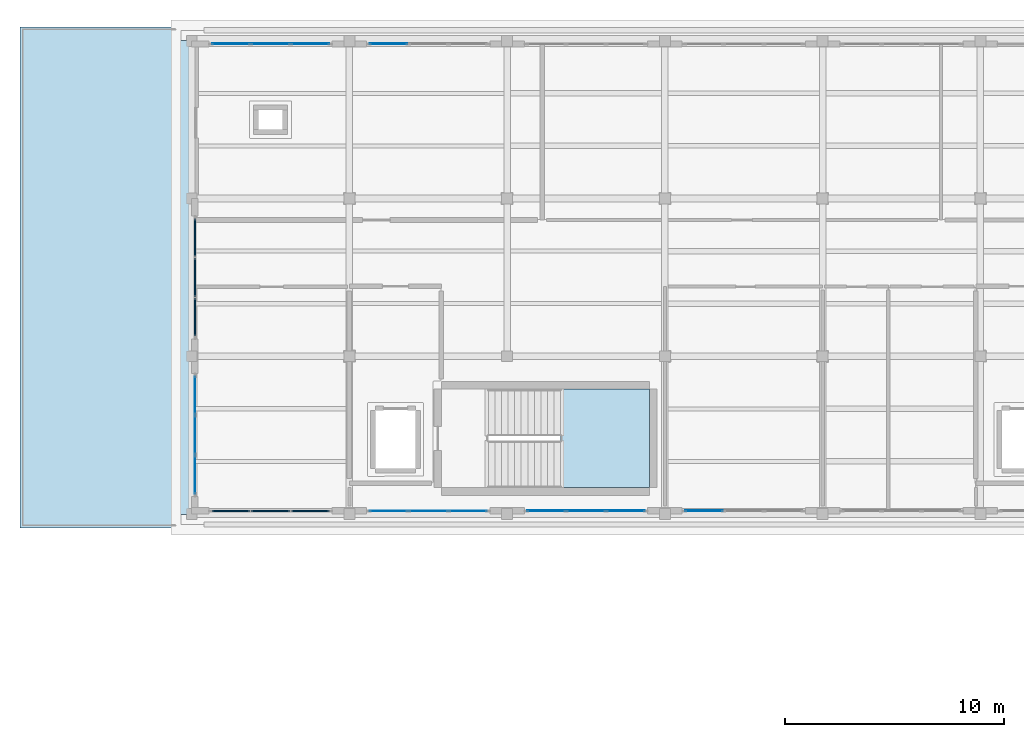
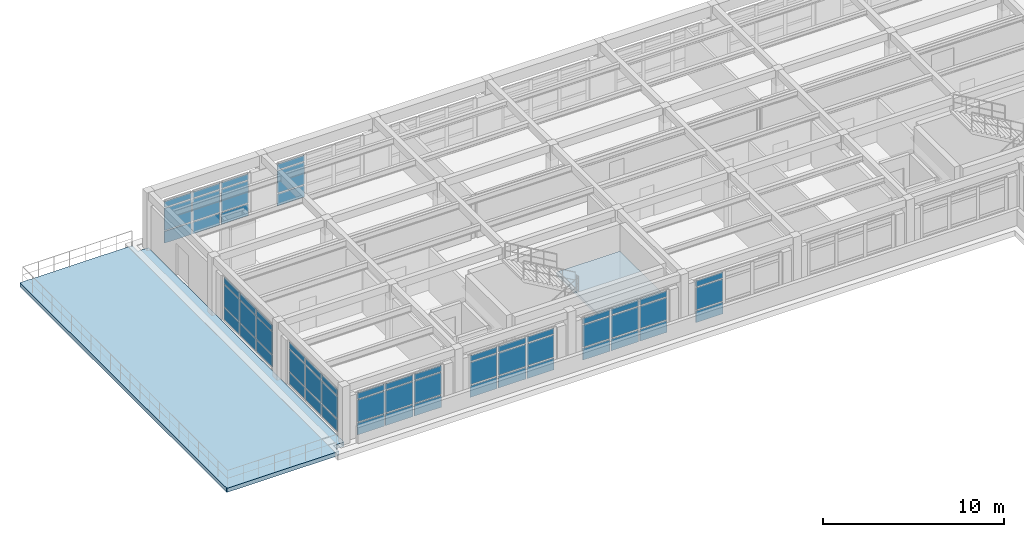
# One storey, part 10 of 18: 60 plates, 2 slabs, 9 elements without a shape of their own.
"""IFC4 building model written with IfcOpenShell, lengths in metres."""

from ifc_helpers import new_model, si_unit, direction, frame, origin, origin_2d, place, context, subcontext, project, spatial, polyline, rectangle, outline, extrude, material, layer, layer_set, type_object, element, aggregate, save


model = new_model("IFC4")

# Units and contexts
model_context = context("Model", 3, precision=1e-05, world=origin(), true_north=direction((0.0, 1.0)))
body_context = subcontext(model_context, "Body", "Model", "MODEL_VIEW")
ifc_project = project(units=[si_unit("LENGTHUNIT", "METRE"), si_unit("AREAUNIT", "SQUARE_METRE"), si_unit("VOLUMEUNIT", "CUBIC_METRE"), si_unit("PLANEANGLEUNIT", "RADIAN"), si_unit("MASSUNIT", "GRAM", prefix="KILO")], contexts=[model_context])

# Site, building, storey
site_placement = place(None, origin())
site = spatial("IfcSite", under=ifc_project, at=site_placement, CompositionType="ELEMENT")
building_placement = place(site_placement, origin())
building = spatial("IfcBuilding", under=site, at=building_placement, Name="Solenvale Faculty of Natural Sciences", CompositionType="ELEMENT")
storey_placement = place(building_placement, frame((0.0, 0.0, 39.60009765625)))
storey = spatial("IfcBuildingStorey", under=building, at=storey_placement, Name="L09", CompositionType="ELEMENT", Elevation=39.60009765625)

# Curtain wall, plates
ifc_material_1 = material(Name="Anodised bronze aluminium", Category="aluminium")
ifc_layer_1 = layer(ifc_material_1, 0.179931640625)
ifc_layer_set_1 = layer_set([ifc_layer_1], Name="Anodised bronze aluminium")
curtain_wall_type = type_object("IfcCurtainWallType", Name="CW-TWR-MOD", PredefinedType="USERDEFINED", material=ifc_layer_set_1)
curtain_wall_1_placement = place(storey_placement, origin())
curtain_wall_1 = element("IfcCurtainWall", 1, at=curtain_wall_1_placement, inside=storey, type_object=curtain_wall_type, Name="L09 Curtain Wall CW-L09-P1-E3-B3", ObjectType="UNITISED CURTAIN WALL", PredefinedType="USERDEFINED")
ifc_material_2 = material(Name="North-light skylight glass", Category="glass")
ifc_layer_2 = layer(ifc_material_2, 0.028076171875)
ifc_layer_set_2 = layer_set([ifc_layer_2], Name="North-light skylight glass")
plate_type_1 = type_object("IfcPlateType", Name="CWP-PNL-28", PredefinedType="CURTAIN_PANEL", material=ifc_layer_set_2)
plate_1_placement = place(storey_placement, frame((93.742431640625, 99.0146484375, 0.074951171875), z_axis=(0.0, 0.0, 1.0), x_axis=(0.0, -1.0, 0.0)))
plate_1 = element("IfcPlate", 2, at=plate_1_placement, type_object=plate_type_1, Name="CW-04 panel 1.1", PredefinedType="CURTAIN_PANEL", context=body_context, shape_type="SweptSolid", body=[
    extrude(rectangle(XDim=1.720947265625, YDim=0.028076171875, at=origin_2d()), origin(), (0.0, 0.0, 1.0), 0.78759765625),
])
plate_2_placement = place(storey_placement, frame((93.742431640625, 99.0146484375, 0.9375), z_axis=(0.0, 0.0, 1.0), x_axis=(0.0, -1.0, 0.0)))
plate_2 = element("IfcPlate", 3, at=plate_2_placement, type_object=plate_type_1, Name="CW-04 panel 1.2", PredefinedType="CURTAIN_PANEL", context=body_context, shape_type="SweptSolid", body=[
    extrude(rectangle(XDim=1.720947265625, YDim=0.028076171875, at=origin_2d()), origin(), (0.0, 0.0, 1.0), 1.485107421875),
])
plate_3_placement = place(storey_placement, frame((93.742431640625, 99.0146484375, 2.49755859375), z_axis=(0.0, 0.0, 1.0), x_axis=(0.0, -1.0, 0.0)))
plate_3 = element("IfcPlate", 4, at=plate_3_placement, type_object=plate_type_1, Name="CW-04 panel 1.3", PredefinedType="CURTAIN_PANEL", context=body_context, shape_type="SweptSolid", body=[
    extrude(rectangle(XDim=1.720947265625, YDim=0.028076171875, at=origin_2d()), origin(), (0.0, 0.0, 1.0), 0.387451171875),
])
plate_4_placement = place(storey_placement, frame((93.742431640625, 97.199951171875, 0.074951171875), z_axis=(0.0, 0.0, 1.0), x_axis=(0.0, -1.0, 0.0)))
plate_4 = element("IfcPlate", 5, at=plate_4_placement, type_object=plate_type_1, Name="CW-04 panel 2.1", PredefinedType="CURTAIN_PANEL", context=body_context, shape_type="SweptSolid", body=[
    extrude(rectangle(XDim=1.75830078125, YDim=0.028076171875, at=origin_2d()), origin(), (0.0, 0.0, 1.0), 0.78759765625),
])
plate_5_placement = place(storey_placement, frame((93.742431640625, 97.199951171875, 0.9375), z_axis=(0.0, 0.0, 1.0), x_axis=(0.0, -1.0, 0.0)))
plate_5 = element("IfcPlate", 6, at=plate_5_placement, type_object=plate_type_1, Name="CW-04 panel 2.2", PredefinedType="CURTAIN_PANEL", context=body_context, shape_type="SweptSolid", body=[
    extrude(rectangle(XDim=1.75830078125, YDim=0.028076171875, at=origin_2d()), origin(), (0.0, 0.0, 1.0), 1.485107421875),
])
plate_6_placement = place(storey_placement, frame((93.742431640625, 97.199951171875, 2.49755859375), z_axis=(0.0, 0.0, 1.0), x_axis=(0.0, -1.0, 0.0)))
plate_6 = element("IfcPlate", 7, at=plate_6_placement, type_object=plate_type_1, Name="CW-04 panel 2.3", PredefinedType="CURTAIN_PANEL", context=body_context, shape_type="SweptSolid", body=[
    extrude(rectangle(XDim=1.75830078125, YDim=0.028076171875, at=origin_2d()), origin(), (0.0, 0.0, 1.0), 0.387451171875),
])
plate_7_placement = place(storey_placement, frame((93.742431640625, 95.385498046875, 0.074951171875), z_axis=(0.0, 0.0, 1.0), x_axis=(0.0, -1.0, 0.0)))
plate_7 = element("IfcPlate", 8, at=plate_7_placement, type_object=plate_type_1, Name="CW-04 panel 3.1", PredefinedType="CURTAIN_PANEL", context=body_context, shape_type="SweptSolid", body=[
    extrude(rectangle(XDim=1.720947265625, YDim=0.028076171875, at=origin_2d()), origin(), (0.0, 0.0, 1.0), 0.78759765625),
])
plate_8_placement = place(storey_placement, frame((93.742431640625, 95.385498046875, 0.9375), z_axis=(0.0, 0.0, 1.0), x_axis=(0.0, -1.0, 0.0)))
plate_8 = element("IfcPlate", 9, at=plate_8_placement, type_object=plate_type_1, Name="CW-04 panel 3.2", PredefinedType="CURTAIN_PANEL", context=body_context, shape_type="SweptSolid", body=[
    extrude(rectangle(XDim=1.720947265625, YDim=0.028076171875, at=origin_2d()), origin(), (0.0, 0.0, 1.0), 1.485107421875),
])
plate_9_placement = place(storey_placement, frame((93.742431640625, 95.385498046875, 2.49755859375), z_axis=(0.0, 0.0, 1.0), x_axis=(0.0, -1.0, 0.0)))
plate_9 = element("IfcPlate", 10, at=plate_9_placement, type_object=plate_type_1, Name="CW-04 panel 3.3", PredefinedType="CURTAIN_PANEL", context=body_context, shape_type="SweptSolid", body=[
    extrude(rectangle(XDim=1.720947265625, YDim=0.028076171875, at=origin_2d()), origin(), (0.0, 0.0, 1.0), 0.387451171875),
])
aggregate(curtain_wall_1, [plate_1, plate_2, plate_3, plate_4, plate_5, plate_6, plate_7, plate_8, plate_9])

curtain_wall_2_placement = place(storey_placement, origin())
curtain_wall_2 = element("IfcCurtainWall", 11, at=curtain_wall_2_placement, inside=storey, type_object=curtain_wall_type, Name="L09 Curtain Wall CW-L09-P1-E4-B2", ObjectType="UNITISED CURTAIN WALL", PredefinedType="USERDEFINED")
plate_10_placement = place(storey_placement, frame((102.58544921875, 93.742431640625, 0.074951171875), z_axis=(0.0, 0.0, 1.0), x_axis=(1.0, 0.0, 0.0)))
plate_10 = element("IfcPlate", 12, at=plate_10_placement, type_object=plate_type_1, Name="CW-04 panel 1.1", PredefinedType="CURTAIN_PANEL", context=body_context, shape_type="SweptSolid", body=[
    extrude(rectangle(XDim=1.720947265625, YDim=0.028076171875, at=origin_2d()), origin(), (0.0, 0.0, 1.0), 0.78759765625),
])
plate_11_placement = place(storey_placement, frame((102.58544921875, 93.742431640625, 0.9375), z_axis=(0.0, 0.0, 1.0), x_axis=(1.0, 0.0, 0.0)))
plate_11 = element("IfcPlate", 13, at=plate_11_placement, type_object=plate_type_1, Name="CW-04 panel 1.2", PredefinedType="CURTAIN_PANEL", context=body_context, shape_type="SweptSolid", body=[
    extrude(rectangle(XDim=1.720947265625, YDim=0.028076171875, at=origin_2d()), origin(), (0.0, 0.0, 1.0), 1.485107421875),
])
plate_12_placement = place(storey_placement, frame((102.58544921875, 93.742431640625, 2.49755859375), z_axis=(0.0, 0.0, 1.0), x_axis=(1.0, 0.0, 0.0)))
plate_12 = element("IfcPlate", 14, at=plate_12_placement, type_object=plate_type_1, Name="CW-04 panel 1.3", PredefinedType="CURTAIN_PANEL", context=body_context, shape_type="SweptSolid", body=[
    extrude(rectangle(XDim=1.720947265625, YDim=0.028076171875, at=origin_2d()), origin(), (0.0, 0.0, 1.0), 0.387451171875),
])
plate_13_placement = place(storey_placement, frame((104.39990234375, 93.742431640625, 0.074951171875), z_axis=(0.0, 0.0, 1.0), x_axis=(1.0, 0.0, 0.0)))
plate_13 = element("IfcPlate", 15, at=plate_13_placement, type_object=plate_type_1, Name="CW-04 panel 2.1", PredefinedType="CURTAIN_PANEL", context=body_context, shape_type="SweptSolid", body=[
    extrude(rectangle(XDim=1.75830078125, YDim=0.028076171875, at=origin_2d()), origin(), (0.0, 0.0, 1.0), 0.78759765625),
])
plate_14_placement = place(storey_placement, frame((104.39990234375, 93.742431640625, 0.9375), z_axis=(0.0, 0.0, 1.0), x_axis=(1.0, 0.0, 0.0)))
plate_14 = element("IfcPlate", 16, at=plate_14_placement, type_object=plate_type_1, Name="CW-04 panel 2.2", PredefinedType="CURTAIN_PANEL", context=body_context, shape_type="SweptSolid", body=[
    extrude(rectangle(XDim=1.75830078125, YDim=0.028076171875, at=origin_2d()), origin(), (0.0, 0.0, 1.0), 1.485107421875),
])
plate_15_placement = place(storey_placement, frame((104.39990234375, 93.742431640625, 2.49755859375), z_axis=(0.0, 0.0, 1.0), x_axis=(1.0, 0.0, 0.0)))
plate_15 = element("IfcPlate", 17, at=plate_15_placement, type_object=plate_type_1, Name="CW-04 panel 2.3", PredefinedType="CURTAIN_PANEL", context=body_context, shape_type="SweptSolid", body=[
    extrude(rectangle(XDim=1.75830078125, YDim=0.028076171875, at=origin_2d()), origin(), (0.0, 0.0, 1.0), 0.387451171875),
])
plate_16_placement = place(storey_placement, frame((106.214599609375, 93.742431640625, 0.074951171875), z_axis=(0.0, 0.0, 1.0), x_axis=(1.0, 0.0, 0.0)))
plate_16 = element("IfcPlate", 18, at=plate_16_placement, type_object=plate_type_1, Name="CW-04 panel 3.1", PredefinedType="CURTAIN_PANEL", context=body_context, shape_type="SweptSolid", body=[
    extrude(rectangle(XDim=1.720947265625, YDim=0.028076171875, at=origin_2d()), origin(), (0.0, 0.0, 1.0), 0.78759765625),
])
plate_17_placement = place(storey_placement, frame((106.214599609375, 93.742431640625, 0.9375), z_axis=(0.0, 0.0, 1.0), x_axis=(1.0, 0.0, 0.0)))
plate_17 = element("IfcPlate", 19, at=plate_17_placement, type_object=plate_type_1, Name="CW-04 panel 3.2", PredefinedType="CURTAIN_PANEL", context=body_context, shape_type="SweptSolid", body=[
    extrude(rectangle(XDim=1.720947265625, YDim=0.028076171875, at=origin_2d()), origin(), (0.0, 0.0, 1.0), 1.485107421875),
])
plate_18_placement = place(storey_placement, frame((106.214599609375, 93.742431640625, 2.49755859375), z_axis=(0.0, 0.0, 1.0), x_axis=(1.0, 0.0, 0.0)))
plate_18 = element("IfcPlate", 20, at=plate_18_placement, type_object=plate_type_1, Name="CW-04 panel 3.3", PredefinedType="CURTAIN_PANEL", context=body_context, shape_type="SweptSolid", body=[
    extrude(rectangle(XDim=1.720947265625, YDim=0.028076171875, at=origin_2d()), origin(), (0.0, 0.0, 1.0), 0.387451171875),
])
aggregate(curtain_wall_2, [plate_10, plate_11, plate_12, plate_13, plate_14, plate_15, plate_16, plate_17, plate_18])

curtain_wall_3_placement = place(storey_placement, origin())
curtain_wall_3 = element("IfcCurtainWall", 21, at=curtain_wall_3_placement, inside=storey, type_object=curtain_wall_type, Name="L09 Curtain Wall CW-L09-P1-E4-B3", ObjectType="UNITISED CURTAIN WALL", PredefinedType="USERDEFINED")
ifc_material_3 = material(Name="Triple low-E insulated glass", Category="glass")
ifc_layer_3 = layer(ifc_material_3, 0.031982421875)
ifc_layer_set_3 = layer_set([ifc_layer_3], Name="Triple low-E insulated glass")
plate_type_2 = type_object("IfcPlateType", Name="CWP-PNL-32", PredefinedType="CURTAIN_PANEL", material=ifc_layer_set_3)
plate_19_placement = place(storey_placement, frame((109.785400390625, 93.742431640625, 0.074951171875), z_axis=(0.0, 0.0, 1.0), x_axis=(1.0, 0.0, 0.0)))
plate_19 = element("IfcPlate", 22, at=plate_19_placement, type_object=plate_type_2, Name="CW-04 panel 1.1", PredefinedType="CURTAIN_PANEL", context=body_context, shape_type="SweptSolid", body=[
    extrude(rectangle(XDim=1.720947265625, YDim=0.031982421875, at=origin_2d()), origin(), (0.0, 0.0, 1.0), 0.78759765625),
])
plate_20_placement = place(storey_placement, frame((109.785400390625, 93.742431640625, 0.9375), z_axis=(0.0, 0.0, 1.0), x_axis=(1.0, 0.0, 0.0)))
plate_20 = element("IfcPlate", 23, at=plate_20_placement, type_object=plate_type_2, Name="CW-04 panel 1.2", PredefinedType="CURTAIN_PANEL", context=body_context, shape_type="SweptSolid", body=[
    extrude(rectangle(XDim=1.720947265625, YDim=0.031982421875, at=origin_2d()), origin(), (0.0, 0.0, 1.0), 1.485107421875),
])
plate_21_placement = place(storey_placement, frame((109.785400390625, 93.742431640625, 2.49755859375), z_axis=(0.0, 0.0, 1.0), x_axis=(1.0, 0.0, 0.0)))
plate_21 = element("IfcPlate", 24, at=plate_21_placement, type_object=plate_type_2, Name="CW-04 panel 1.3", PredefinedType="CURTAIN_PANEL", context=body_context, shape_type="SweptSolid", body=[
    extrude(rectangle(XDim=1.720947265625, YDim=0.031982421875, at=origin_2d()), origin(), (0.0, 0.0, 1.0), 0.387451171875),
])
plate_22_placement = place(storey_placement, frame((111.60009765625, 93.742431640625, 0.074951171875), z_axis=(0.0, 0.0, 1.0), x_axis=(1.0, 0.0, 0.0)))
plate_22 = element("IfcPlate", 25, at=plate_22_placement, type_object=plate_type_2, Name="CW-04 panel 2.1", PredefinedType="CURTAIN_PANEL", context=body_context, shape_type="SweptSolid", body=[
    extrude(rectangle(XDim=1.75830078125, YDim=0.031982421875, at=origin_2d()), origin(), (0.0, 0.0, 1.0), 0.78759765625),
])
plate_23_placement = place(storey_placement, frame((111.60009765625, 93.742431640625, 0.9375), z_axis=(0.0, 0.0, 1.0), x_axis=(1.0, 0.0, 0.0)))
plate_23 = element("IfcPlate", 26, at=plate_23_placement, type_object=plate_type_2, Name="CW-04 panel 2.2", PredefinedType="CURTAIN_PANEL", context=body_context, shape_type="SweptSolid", body=[
    extrude(rectangle(XDim=1.75830078125, YDim=0.031982421875, at=origin_2d()), origin(), (0.0, 0.0, 1.0), 1.485107421875),
])
plate_24_placement = place(storey_placement, frame((111.60009765625, 93.742431640625, 2.49755859375), z_axis=(0.0, 0.0, 1.0), x_axis=(1.0, 0.0, 0.0)))
plate_24 = element("IfcPlate", 27, at=plate_24_placement, type_object=plate_type_2, Name="CW-04 panel 2.3", PredefinedType="CURTAIN_PANEL", context=body_context, shape_type="SweptSolid", body=[
    extrude(rectangle(XDim=1.75830078125, YDim=0.031982421875, at=origin_2d()), origin(), (0.0, 0.0, 1.0), 0.387451171875),
])
plate_25_placement = place(storey_placement, frame((113.41455078125, 93.742431640625, 0.074951171875), z_axis=(0.0, 0.0, 1.0), x_axis=(1.0, 0.0, 0.0)))
plate_25 = element("IfcPlate", 28, at=plate_25_placement, type_object=plate_type_2, Name="CW-04 panel 3.1", PredefinedType="CURTAIN_PANEL", context=body_context, shape_type="SweptSolid", body=[
    extrude(rectangle(XDim=1.720947265625, YDim=0.031982421875, at=origin_2d()), origin(), (0.0, 0.0, 1.0), 0.78759765625),
])
plate_26_placement = place(storey_placement, frame((113.41455078125, 93.742431640625, 0.9375), z_axis=(0.0, 0.0, 1.0), x_axis=(1.0, 0.0, 0.0)))
plate_26 = element("IfcPlate", 29, at=plate_26_placement, type_object=plate_type_2, Name="CW-04 panel 3.2", PredefinedType="CURTAIN_PANEL", context=body_context, shape_type="SweptSolid", body=[
    extrude(rectangle(XDim=1.720947265625, YDim=0.031982421875, at=origin_2d()), origin(), (0.0, 0.0, 1.0), 1.485107421875),
])
plate_27_placement = place(storey_placement, frame((113.41455078125, 93.742431640625, 2.49755859375), z_axis=(0.0, 0.0, 1.0), x_axis=(1.0, 0.0, 0.0)))
plate_27 = element("IfcPlate", 30, at=plate_27_placement, type_object=plate_type_2, Name="CW-04 panel 3.3", PredefinedType="CURTAIN_PANEL", context=body_context, shape_type="SweptSolid", body=[
    extrude(rectangle(XDim=1.720947265625, YDim=0.031982421875, at=origin_2d()), origin(), (0.0, 0.0, 1.0), 0.387451171875),
])
aggregate(curtain_wall_3, [plate_19, plate_20, plate_21, plate_22, plate_23, plate_24, plate_25, plate_26, plate_27])

curtain_wall_4_placement = place(storey_placement, origin())
curtain_wall_4 = element("IfcCurtainWall", 31, at=curtain_wall_4_placement, inside=storey, type_object=curtain_wall_type, Name="L09 Curtain Wall CW-L09-P1-E4-B4", ObjectType="UNITISED CURTAIN WALL", PredefinedType="USERDEFINED")
ifc_layer_4 = layer(ifc_material_3, 0.035888671875)
ifc_layer_set_4 = layer_set([ifc_layer_4], Name="Triple low-E insulated glass")
plate_type_3 = type_object("IfcPlateType", Name="CWP-PNL-36", PredefinedType="CURTAIN_PANEL", material=ifc_layer_set_4)
plate_28_placement = place(storey_placement, frame((116.9853515625, 93.742431640625, 0.074951171875), z_axis=(0.0, 0.0, 1.0), x_axis=(1.0, 0.0, 0.0)))
plate_28 = element("IfcPlate", 32, at=plate_28_placement, type_object=plate_type_3, Name="CW-04 panel 1.1", PredefinedType="CURTAIN_PANEL", context=body_context, shape_type="SweptSolid", body=[
    extrude(rectangle(XDim=1.720947265625, YDim=0.035888671875, at=origin_2d()), origin(), (0.0, 0.0, 1.0), 0.78759765625),
])
plate_29_placement = place(storey_placement, frame((116.9853515625, 93.742431640625, 0.9375), z_axis=(0.0, 0.0, 1.0), x_axis=(1.0, 0.0, 0.0)))
plate_29 = element("IfcPlate", 33, at=plate_29_placement, type_object=plate_type_3, Name="CW-04 panel 1.2", PredefinedType="CURTAIN_PANEL", context=body_context, shape_type="SweptSolid", body=[
    extrude(rectangle(XDim=1.720947265625, YDim=0.035888671875, at=origin_2d()), origin(), (0.0, 0.0, 1.0), 1.485107421875),
])
plate_30_placement = place(storey_placement, frame((116.9853515625, 93.742431640625, 2.49755859375), z_axis=(0.0, 0.0, 1.0), x_axis=(1.0, 0.0, 0.0)))
plate_30 = element("IfcPlate", 34, at=plate_30_placement, type_object=plate_type_3, Name="CW-04 panel 1.3", PredefinedType="CURTAIN_PANEL", context=body_context, shape_type="SweptSolid", body=[
    extrude(rectangle(XDim=1.720947265625, YDim=0.035888671875, at=origin_2d()), origin(), (0.0, 0.0, 1.0), 0.387451171875),
])
aggregate(curtain_wall_4, [plate_28, plate_29, plate_30])

curtain_wall_5_placement = place(storey_placement, origin())
curtain_wall_5 = element("IfcCurtainWall", 35, at=curtain_wall_5_placement, inside=storey, type_object=curtain_wall_type, Name="L09 Curtain Wall CW-L09-P1-E2-B7", ObjectType="UNITISED CURTAIN WALL", PredefinedType="USERDEFINED")
ifc_layer_5 = layer(ifc_material_3, 0.0400390625)
ifc_layer_set_5 = layer_set([ifc_layer_5], Name="Triple low-E insulated glass")
plate_type_4 = type_object("IfcPlateType", Name="CWP-PNL-40", PredefinedType="CURTAIN_PANEL", material=ifc_layer_set_5)
plate_31_placement = place(storey_placement, frame((102.58544921875, 115.0576171875, 0.074951171875), z_axis=(0.0, 0.0, 1.0), x_axis=(-1.0, 0.0, 0.0)))
plate_31 = element("IfcPlate", 36, at=plate_31_placement, type_object=plate_type_4, Name="CW-04 panel 3.1", PredefinedType="CURTAIN_PANEL", context=body_context, shape_type="SweptSolid", body=[
    extrude(rectangle(XDim=1.720947265625, YDim=0.0400390625, at=origin_2d()), origin(), (0.0, 0.0, 1.0), 0.78759765625),
])
plate_32_placement = place(storey_placement, frame((102.58544921875, 115.0576171875, 0.9375), z_axis=(0.0, 0.0, 1.0), x_axis=(-1.0, 0.0, 0.0)))
plate_32 = element("IfcPlate", 37, at=plate_32_placement, type_object=plate_type_4, Name="CW-04 panel 3.2", PredefinedType="CURTAIN_PANEL", context=body_context, shape_type="SweptSolid", body=[
    extrude(rectangle(XDim=1.720947265625, YDim=0.0400390625, at=origin_2d()), origin(), (0.0, 0.0, 1.0), 1.485107421875),
])
plate_33_placement = place(storey_placement, frame((102.58544921875, 115.0576171875, 2.49755859375), z_axis=(0.0, 0.0, 1.0), x_axis=(-1.0, 0.0, 0.0)))
plate_33 = element("IfcPlate", 38, at=plate_33_placement, type_object=plate_type_4, Name="CW-04 panel 3.3", PredefinedType="CURTAIN_PANEL", context=body_context, shape_type="SweptSolid", body=[
    extrude(rectangle(XDim=1.720947265625, YDim=0.0400390625, at=origin_2d()), origin(), (0.0, 0.0, 1.0), 0.387451171875),
])
aggregate(curtain_wall_5, [plate_31, plate_32, plate_33])

curtain_wall_6_placement = place(storey_placement, origin())
curtain_wall_6 = element("IfcCurtainWall", 39, at=curtain_wall_6_placement, inside=storey, type_object=curtain_wall_type, Name="L09 Curtain Wall CW-L09-P1-E2-B8", ObjectType="UNITISED CURTAIN WALL", PredefinedType="USERDEFINED")
ifc_layer_6 = layer(ifc_material_3, 0.0439453125)
ifc_layer_set_6 = layer_set([ifc_layer_6], Name="Triple low-E insulated glass")
plate_type_5 = type_object("IfcPlateType", Name="CWP-PNL-44", PredefinedType="CURTAIN_PANEL", material=ifc_layer_set_6)
plate_34_placement = place(storey_placement, frame((99.0146484375, 115.0576171875, 0.074951171875), z_axis=(0.0, 0.0, 1.0), x_axis=(-1.0, 0.0, 0.0)))
plate_34 = element("IfcPlate", 40, at=plate_34_placement, type_object=plate_type_5, Name="CW-04 panel 1.1", PredefinedType="CURTAIN_PANEL", context=body_context, shape_type="SweptSolid", body=[
    extrude(rectangle(XDim=1.720947265625, YDim=0.0439453125, at=origin_2d()), origin(), (0.0, 0.0, 1.0), 0.78759765625),
])
plate_35_placement = place(storey_placement, frame((99.0146484375, 115.0576171875, 0.9375), z_axis=(0.0, 0.0, 1.0), x_axis=(-1.0, 0.0, 0.0)))
plate_35 = element("IfcPlate", 41, at=plate_35_placement, type_object=plate_type_5, Name="CW-04 panel 1.2", PredefinedType="CURTAIN_PANEL", context=body_context, shape_type="SweptSolid", body=[
    extrude(rectangle(XDim=1.720947265625, YDim=0.0439453125, at=origin_2d()), origin(), (0.0, 0.0, 1.0), 1.485107421875),
])
plate_36_placement = place(storey_placement, frame((99.0146484375, 115.0576171875, 2.49755859375), z_axis=(0.0, 0.0, 1.0), x_axis=(-1.0, 0.0, 0.0)))
plate_36 = element("IfcPlate", 42, at=plate_36_placement, type_object=plate_type_5, Name="CW-04 panel 1.3", PredefinedType="CURTAIN_PANEL", context=body_context, shape_type="SweptSolid", body=[
    extrude(rectangle(XDim=1.720947265625, YDim=0.0439453125, at=origin_2d()), origin(), (0.0, 0.0, 1.0), 0.387451171875),
])
plate_37_placement = place(storey_placement, frame((97.199951171875, 115.0576171875, 0.074951171875), z_axis=(0.0, 0.0, 1.0), x_axis=(-1.0, 0.0, 0.0)))
plate_37 = element("IfcPlate", 43, at=plate_37_placement, type_object=plate_type_5, Name="CW-04 panel 2.1", PredefinedType="CURTAIN_PANEL", context=body_context, shape_type="SweptSolid", body=[
    extrude(rectangle(XDim=1.75830078125, YDim=0.0439453125, at=origin_2d()), origin(), (0.0, 0.0, 1.0), 0.78759765625),
])
plate_38_placement = place(storey_placement, frame((97.199951171875, 115.0576171875, 0.9375), z_axis=(0.0, 0.0, 1.0), x_axis=(-1.0, 0.0, 0.0)))
plate_38 = element("IfcPlate", 44, at=plate_38_placement, type_object=plate_type_5, Name="CW-04 panel 2.2", PredefinedType="CURTAIN_PANEL", context=body_context, shape_type="SweptSolid", body=[
    extrude(rectangle(XDim=1.75830078125, YDim=0.0439453125, at=origin_2d()), origin(), (0.0, 0.0, 1.0), 1.485107421875),
])
plate_39_placement = place(storey_placement, frame((97.199951171875, 115.0576171875, 2.49755859375), z_axis=(0.0, 0.0, 1.0), x_axis=(-1.0, 0.0, 0.0)))
plate_39 = element("IfcPlate", 45, at=plate_39_placement, type_object=plate_type_5, Name="CW-04 panel 2.3", PredefinedType="CURTAIN_PANEL", context=body_context, shape_type="SweptSolid", body=[
    extrude(rectangle(XDim=1.75830078125, YDim=0.0439453125, at=origin_2d()), origin(), (0.0, 0.0, 1.0), 0.387451171875),
])
plate_40_placement = place(storey_placement, frame((95.385498046875, 115.0576171875, 0.074951171875), z_axis=(0.0, 0.0, 1.0), x_axis=(-1.0, 0.0, 0.0)))
plate_40 = element("IfcPlate", 46, at=plate_40_placement, type_object=plate_type_5, Name="CW-04 panel 3.1", PredefinedType="CURTAIN_PANEL", context=body_context, shape_type="SweptSolid", body=[
    extrude(rectangle(XDim=1.720947265625, YDim=0.0439453125, at=origin_2d()), origin(), (0.0, 0.0, 1.0), 0.78759765625),
])
plate_41_placement = place(storey_placement, frame((95.385498046875, 115.0576171875, 0.9375), z_axis=(0.0, 0.0, 1.0), x_axis=(-1.0, 0.0, 0.0)))
plate_41 = element("IfcPlate", 47, at=plate_41_placement, type_object=plate_type_5, Name="CW-04 panel 3.2", PredefinedType="CURTAIN_PANEL", context=body_context, shape_type="SweptSolid", body=[
    extrude(rectangle(XDim=1.720947265625, YDim=0.0439453125, at=origin_2d()), origin(), (0.0, 0.0, 1.0), 1.485107421875),
])
plate_42_placement = place(storey_placement, frame((95.385498046875, 115.0576171875, 2.49755859375), z_axis=(0.0, 0.0, 1.0), x_axis=(-1.0, 0.0, 0.0)))
plate_42 = element("IfcPlate", 48, at=plate_42_placement, type_object=plate_type_5, Name="CW-04 panel 3.3", PredefinedType="CURTAIN_PANEL", context=body_context, shape_type="SweptSolid", body=[
    extrude(rectangle(XDim=1.720947265625, YDim=0.0439453125, at=origin_2d()), origin(), (0.0, 0.0, 1.0), 0.387451171875),
])
aggregate(curtain_wall_6, [plate_34, plate_35, plate_36, plate_37, plate_38, plate_39, plate_40, plate_41, plate_42])

curtain_wall_7_placement = place(storey_placement, origin())
curtain_wall_7 = element("IfcCurtainWall", 49, at=curtain_wall_7_placement, inside=storey, type_object=curtain_wall_type, Name="L09 Curtain Wall CW-L09-P1-E3-B2", ObjectType="UNITISED CURTAIN WALL", PredefinedType="USERDEFINED")
ifc_layer_7 = layer(ifc_material_1, 0.06005859375)
ifc_layer_set_7 = layer_set([ifc_layer_7], Name="Anodised bronze aluminium")
plate_type_6 = type_object("IfcPlateType", Name="CWP-PNL-60", PredefinedType="CURTAIN_PANEL", material=ifc_layer_set_7)
plate_43_placement = place(storey_placement, frame((93.742431640625, 106.214599609375, 0.074951171875), z_axis=(0.0, 0.0, 1.0), x_axis=(0.0, -1.0, 0.0)))
plate_43 = element("IfcPlate", 50, at=plate_43_placement, type_object=plate_type_6, Name="CW-04 panel 1.1", PredefinedType="CURTAIN_PANEL", context=body_context, shape_type="SweptSolid", body=[
    extrude(rectangle(XDim=1.720947265625, YDim=0.06005859375, at=origin_2d()), origin(), (0.0, 0.0, 1.0), 0.78759765625),
])
plate_44_placement = place(storey_placement, frame((93.742431640625, 106.214599609375, 0.9375), z_axis=(0.0, 0.0, 1.0), x_axis=(0.0, -1.0, 0.0)))
plate_44 = element("IfcPlate", 51, at=plate_44_placement, type_object=plate_type_6, Name="CW-04 panel 1.2", PredefinedType="CURTAIN_PANEL", context=body_context, shape_type="SweptSolid", body=[
    extrude(rectangle(XDim=1.720947265625, YDim=0.06005859375, at=origin_2d()), origin(), (0.0, 0.0, 1.0), 1.485107421875),
])
plate_45_placement = place(storey_placement, frame((93.742431640625, 106.214599609375, 2.49755859375), z_axis=(0.0, 0.0, 1.0), x_axis=(0.0, -1.0, 0.0)))
plate_45 = element("IfcPlate", 52, at=plate_45_placement, type_object=plate_type_6, Name="CW-04 panel 1.3", PredefinedType="CURTAIN_PANEL", context=body_context, shape_type="SweptSolid", body=[
    extrude(rectangle(XDim=1.720947265625, YDim=0.06005859375, at=origin_2d()), origin(), (0.0, 0.0, 1.0), 0.387451171875),
])
plate_46_placement = place(storey_placement, frame((93.742431640625, 104.39990234375, 0.074951171875), z_axis=(0.0, 0.0, 1.0), x_axis=(0.0, -1.0, 0.0)))
plate_46 = element("IfcPlate", 53, at=plate_46_placement, type_object=plate_type_6, Name="CW-04 panel 2.1", PredefinedType="CURTAIN_PANEL", context=body_context, shape_type="SweptSolid", body=[
    extrude(rectangle(XDim=1.75830078125, YDim=0.06005859375, at=origin_2d()), origin(), (0.0, 0.0, 1.0), 0.78759765625),
])
plate_47_placement = place(storey_placement, frame((93.742431640625, 104.39990234375, 0.9375), z_axis=(0.0, 0.0, 1.0), x_axis=(0.0, -1.0, 0.0)))
plate_47 = element("IfcPlate", 54, at=plate_47_placement, type_object=plate_type_6, Name="CW-04 panel 2.2", PredefinedType="CURTAIN_PANEL", context=body_context, shape_type="SweptSolid", body=[
    extrude(rectangle(XDim=1.75830078125, YDim=0.06005859375, at=origin_2d()), origin(), (0.0, 0.0, 1.0), 1.485107421875),
])
plate_48_placement = place(storey_placement, frame((93.742431640625, 104.39990234375, 2.49755859375), z_axis=(0.0, 0.0, 1.0), x_axis=(0.0, -1.0, 0.0)))
plate_48 = element("IfcPlate", 55, at=plate_48_placement, type_object=plate_type_6, Name="CW-04 panel 2.3", PredefinedType="CURTAIN_PANEL", context=body_context, shape_type="SweptSolid", body=[
    extrude(rectangle(XDim=1.75830078125, YDim=0.06005859375, at=origin_2d()), origin(), (0.0, 0.0, 1.0), 0.387451171875),
])
plate_49_placement = place(storey_placement, frame((93.742431640625, 102.58544921875, 0.074951171875), z_axis=(0.0, 0.0, 1.0), x_axis=(0.0, -1.0, 0.0)))
plate_49 = element("IfcPlate", 56, at=plate_49_placement, type_object=plate_type_6, Name="CW-04 panel 3.1", PredefinedType="CURTAIN_PANEL", context=body_context, shape_type="SweptSolid", body=[
    extrude(rectangle(XDim=1.720947265625, YDim=0.06005859375, at=origin_2d()), origin(), (0.0, 0.0, 1.0), 0.78759765625),
])
plate_50_placement = place(storey_placement, frame((93.742431640625, 102.58544921875, 0.9375), z_axis=(0.0, 0.0, 1.0), x_axis=(0.0, -1.0, 0.0)))
plate_50 = element("IfcPlate", 57, at=plate_50_placement, type_object=plate_type_6, Name="CW-04 panel 3.2", PredefinedType="CURTAIN_PANEL", context=body_context, shape_type="SweptSolid", body=[
    extrude(rectangle(XDim=1.720947265625, YDim=0.06005859375, at=origin_2d()), origin(), (0.0, 0.0, 1.0), 1.485107421875),
])
plate_51_placement = place(storey_placement, frame((93.742431640625, 102.58544921875, 2.49755859375), z_axis=(0.0, 0.0, 1.0), x_axis=(0.0, -1.0, 0.0)))
plate_51 = element("IfcPlate", 58, at=plate_51_placement, type_object=plate_type_6, Name="CW-04 panel 3.3", PredefinedType="CURTAIN_PANEL", context=body_context, shape_type="SweptSolid", body=[
    extrude(rectangle(XDim=1.720947265625, YDim=0.06005859375, at=origin_2d()), origin(), (0.0, 0.0, 1.0), 0.387451171875),
])
aggregate(curtain_wall_7, [plate_43, plate_44, plate_45, plate_46, plate_47, plate_48, plate_49, plate_50, plate_51])

curtain_wall_8_placement = place(storey_placement, origin())
curtain_wall_8 = element("IfcCurtainWall", 59, at=curtain_wall_8_placement, inside=storey, type_object=curtain_wall_type, Name="L09 Curtain Wall CW-L09-P1-E4-B1", ObjectType="UNITISED CURTAIN WALL", PredefinedType="USERDEFINED")
plate_52_placement = place(storey_placement, frame((95.385498046875, 93.742431640625, 0.074951171875), z_axis=(0.0, 0.0, 1.0), x_axis=(1.0, 0.0, 0.0)))
plate_52 = element("IfcPlate", 60, at=plate_52_placement, type_object=plate_type_6, Name="CW-04 panel 1.1", PredefinedType="CURTAIN_PANEL", context=body_context, shape_type="SweptSolid", body=[
    extrude(rectangle(XDim=1.720947265625, YDim=0.06005859375, at=origin_2d()), origin(), (0.0, 0.0, 1.0), 0.78759765625),
])
plate_53_placement = place(storey_placement, frame((95.385498046875, 93.742431640625, 0.9375), z_axis=(0.0, 0.0, 1.0), x_axis=(1.0, 0.0, 0.0)))
plate_53 = element("IfcPlate", 61, at=plate_53_placement, type_object=plate_type_6, Name="CW-04 panel 1.2", PredefinedType="CURTAIN_PANEL", context=body_context, shape_type="SweptSolid", body=[
    extrude(rectangle(XDim=1.720947265625, YDim=0.06005859375, at=origin_2d()), origin(), (0.0, 0.0, 1.0), 1.485107421875),
])
plate_54_placement = place(storey_placement, frame((95.385498046875, 93.742431640625, 2.49755859375), z_axis=(0.0, 0.0, 1.0), x_axis=(1.0, 0.0, 0.0)))
plate_54 = element("IfcPlate", 62, at=plate_54_placement, type_object=plate_type_6, Name="CW-04 panel 1.3", PredefinedType="CURTAIN_PANEL", context=body_context, shape_type="SweptSolid", body=[
    extrude(rectangle(XDim=1.720947265625, YDim=0.06005859375, at=origin_2d()), origin(), (0.0, 0.0, 1.0), 0.387451171875),
])
plate_55_placement = place(storey_placement, frame((97.199951171875, 93.742431640625, 0.074951171875), z_axis=(0.0, 0.0, 1.0), x_axis=(1.0, 0.0, 0.0)))
plate_55 = element("IfcPlate", 63, at=plate_55_placement, type_object=plate_type_6, Name="CW-04 panel 2.1", PredefinedType="CURTAIN_PANEL", context=body_context, shape_type="SweptSolid", body=[
    extrude(rectangle(XDim=1.75830078125, YDim=0.06005859375, at=origin_2d()), origin(), (0.0, 0.0, 1.0), 0.78759765625),
])
plate_56_placement = place(storey_placement, frame((97.199951171875, 93.742431640625, 0.9375), z_axis=(0.0, 0.0, 1.0), x_axis=(1.0, 0.0, 0.0)))
plate_56 = element("IfcPlate", 64, at=plate_56_placement, type_object=plate_type_6, Name="CW-04 panel 2.2", PredefinedType="CURTAIN_PANEL", context=body_context, shape_type="SweptSolid", body=[
    extrude(rectangle(XDim=1.75830078125, YDim=0.06005859375, at=origin_2d()), origin(), (0.0, 0.0, 1.0), 1.485107421875),
])
plate_57_placement = place(storey_placement, frame((97.199951171875, 93.742431640625, 2.49755859375), z_axis=(0.0, 0.0, 1.0), x_axis=(1.0, 0.0, 0.0)))
plate_57 = element("IfcPlate", 65, at=plate_57_placement, type_object=plate_type_6, Name="CW-04 panel 2.3", PredefinedType="CURTAIN_PANEL", context=body_context, shape_type="SweptSolid", body=[
    extrude(rectangle(XDim=1.75830078125, YDim=0.06005859375, at=origin_2d()), origin(), (0.0, 0.0, 1.0), 0.387451171875),
])
plate_58_placement = place(storey_placement, frame((99.0146484375, 93.742431640625, 0.074951171875), z_axis=(0.0, 0.0, 1.0), x_axis=(1.0, 0.0, 0.0)))
plate_58 = element("IfcPlate", 66, at=plate_58_placement, type_object=plate_type_6, Name="CW-04 panel 3.1", PredefinedType="CURTAIN_PANEL", context=body_context, shape_type="SweptSolid", body=[
    extrude(rectangle(XDim=1.720947265625, YDim=0.06005859375, at=origin_2d()), origin(), (0.0, 0.0, 1.0), 0.78759765625),
])
plate_59_placement = place(storey_placement, frame((99.0146484375, 93.742431640625, 0.9375), z_axis=(0.0, 0.0, 1.0), x_axis=(1.0, 0.0, 0.0)))
plate_59 = element("IfcPlate", 67, at=plate_59_placement, type_object=plate_type_6, Name="CW-04 panel 3.2", PredefinedType="CURTAIN_PANEL", context=body_context, shape_type="SweptSolid", body=[
    extrude(rectangle(XDim=1.720947265625, YDim=0.06005859375, at=origin_2d()), origin(), (0.0, 0.0, 1.0), 1.485107421875),
])
plate_60_placement = place(storey_placement, frame((99.0146484375, 93.742431640625, 2.49755859375), z_axis=(0.0, 0.0, 1.0), x_axis=(1.0, 0.0, 0.0)))
plate_60 = element("IfcPlate", 68, at=plate_60_placement, type_object=plate_type_6, Name="CW-04 panel 3.3", PredefinedType="CURTAIN_PANEL", context=body_context, shape_type="SweptSolid", body=[
    extrude(rectangle(XDim=1.720947265625, YDim=0.06005859375, at=origin_2d()), origin(), (0.0, 0.0, 1.0), 0.387451171875),
])
aggregate(curtain_wall_8, [plate_52, plate_53, plate_54, plate_55, plate_56, plate_57, plate_58, plate_59, plate_60])

# Stair, slab
ifc_material_4 = material(Name="Concrete 40 MPa", Category="concrete")
stair_type = type_object("IfcStairType", Name="STR-CORE-25R", PredefinedType="DOUBLE_RETURN_STAIR", material=ifc_material_4)
stair_placement = place(storey_placement, origin())
stair = element("IfcStair", 69, at=stair_placement, inside=storey, type_object=stair_type, Name="L09 Protected Exit Stair ST-04", PredefinedType="DOUBLE_RETURN_STAIR")
ifc_layer_8 = layer(ifc_material_4, 0.195068359375)
ifc_layer_set_8 = layer_set([ifc_layer_8], Name="Concrete 40 MPa")
slab_type_1 = type_object("IfcSlabType", Name="SL-LND-195", PredefinedType="LANDING", material=ifc_layer_set_8)
slab_1_placement = place(storey_placement, frame((0.0, 0.0, 1.89990234375)))
slab_1 = element("IfcSlab", 70, at=slab_1_placement, type_object=slab_type_1, Name="ST-04 landing 1", PredefinedType="LANDING", context=body_context, shape_type="SweptSolid", body=[
    extrude(outline(polyline([(110.43994140625, 94.800048828125), (114.5, 94.800048828125), (114.5, 99.300048828125), (110.43994140625, 99.300048828125), (110.43994140625, 94.800048828125)])), origin(), (0.0, 0.0, 1.0), 0.199951171875),
])
aggregate(stair, [slab_1])

# Slab
ifc_material_5 = material(Name="Precast terrace paving concrete 35 MPa", Category="concrete")
ifc_layer_9 = layer(ifc_material_5, 0.280029296875)
ifc_layer_set_9 = layer_set([ifc_layer_9], Name="Precast terrace paving concrete 35 MPa")
slab_type_2 = type_object("IfcSlabType", Name="SL-TERR-280", PredefinedType="FLOOR", material=ifc_layer_set_9)
slab_2_placement = place(storey_placement, frame((0.0, 0.0, -0.280029296875)))
element("IfcSlab", 71, at=slab_2_placement, inside=storey, type_object=slab_type_2, Name="L09 Mid-Tower Setback Terrace L09", PredefinedType="FLOOR", context=body_context, shape_type="SweptSolid", body=[
    extrude(outline(polyline([(92.89990234375, 115.840087890625), (92.9140625, 115.833984375), (92.919921875, 115.820068359375), (92.919921875, 115.219970703125), (93.580078125, 115.219970703125), (93.593994140625, 115.214111328125), (93.60009765625, 115.199951171875), (93.59912109375, 93.59423828125), (93.580078125, 93.580078125), (92.919921875, 93.580078125), (92.919921875, 92.97998046875), (92.91552734375, 92.96728515625), (92.902099609375, 92.960205078125), (85.774169921875, 92.9609375), (85.760009765625, 92.97998046875), (85.760986328125, 115.82568359375), (85.780029296875, 115.840087890625), (92.89990234375, 115.840087890625)])), origin(), (0.0, 0.0, 1.0), 0.280029296875),
])

save(model, "model.ifc")
